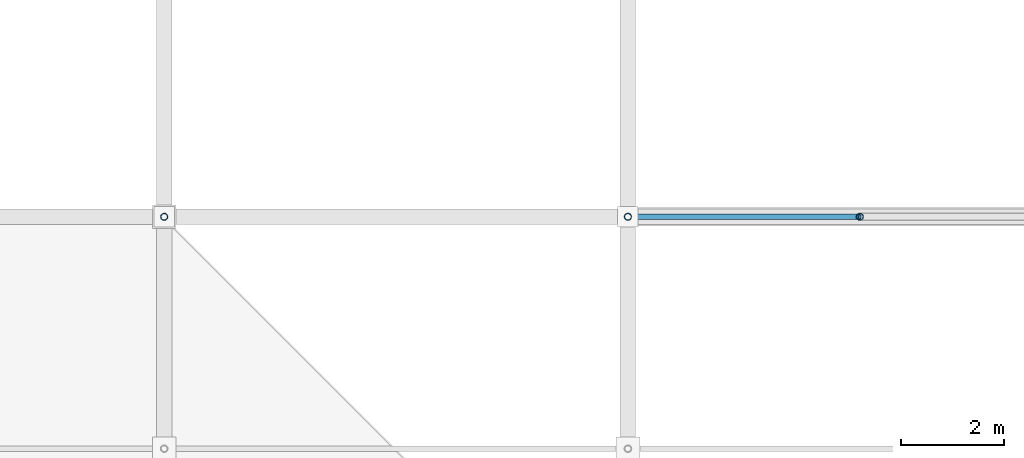
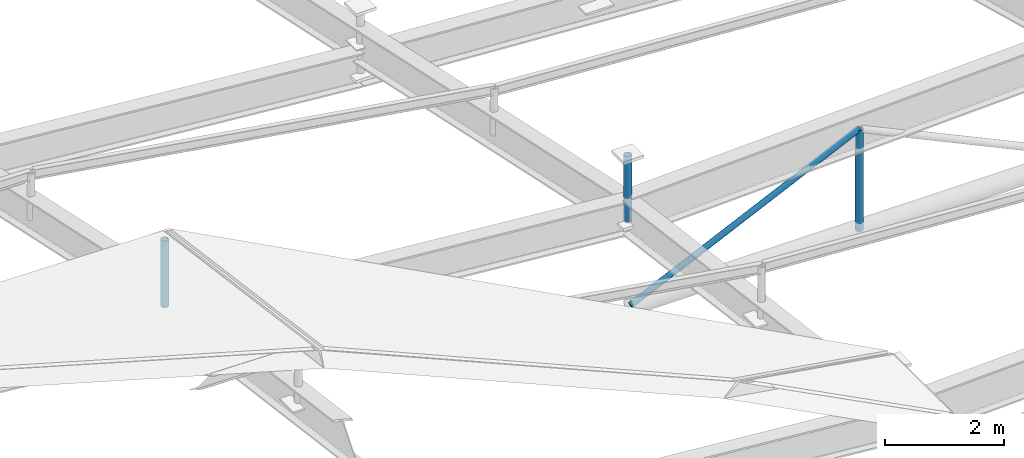
# One storey, part 30 of 80: 4 members.
"""IFC4 building model written with IfcOpenShell, lengths in metres."""

from ifc_helpers import new_model, si_unit, direction, frame, origin, origin_2d, place, context, subcontext, project, spatial, hollow_circle, extrude, material, material_profile, profile_set, type_object, element, save


model = new_model("IFC4")

# Units and contexts
model_context = context("Model", 3, precision=1e-05, world=origin(), true_north=direction((0.0, 1.0)))
body_context = subcontext(model_context, "Body", "Model", "MODEL_VIEW")
ifc_project = project(units=[si_unit("LENGTHUNIT", "METRE"), si_unit("AREAUNIT", "SQUARE_METRE"), si_unit("VOLUMEUNIT", "CUBIC_METRE"), si_unit("PLANEANGLEUNIT", "RADIAN"), si_unit("MASSUNIT", "GRAM", prefix="KILO")], contexts=[model_context])

# Site, building, storey
site_placement = place(None, origin())
site = spatial("IfcSite", under=ifc_project, at=site_placement, CompositionType="ELEMENT")
building_placement = place(site_placement, origin())
building = spatial("IfcBuilding", under=site, at=building_placement, Name="Barlavento Convention Centre", CompositionType="ELEMENT")
storey_placement = place(building_placement, frame((0.0, 0.0, 29.800048828125)))
storey = spatial("IfcBuildingStorey", under=building, at=storey_placement, Name="RF", CompositionType="ELEMENT", Elevation=29.800048828125)

# Members
ifc_material = material(Name="Steel S355", Category="steel")
ifc_material_profile_1 = material_profile(ifc_material, hollow_circle(Radius=0.05712890625, WallThickness=0.00634765625, at=origin_2d()), Name="CHS 114.3x6.3")
ifc_profile_set_1 = profile_set([ifc_material_profile_1], Name="Steel S355")
member_type_1 = type_object("IfcMemberType", Name="STR-MEM-DIAG-CHS114", PredefinedType="BRACE", material=ifc_profile_set_1)
member_1_placement = place(storey_placement, frame((18.050048828125, 36.0, -4.342041015625), z_axis=(0.906181869863, 0.0, 0.422888187033), x_axis=(0.0, 1.0, 0.0)))
element("IfcMember", 1, at=member_1_placement, inside=storey, type_object=member_type_1, Name="Plenary hall roof truss web member", PredefinedType="BRACE", context=body_context, shape_type="SweptSolid", body=[
    extrude(hollow_circle(Radius=0.05712890625, WallThickness=0.00634765625, at=origin_2d()), origin(), (0.0, 0.0, 1.0), 4.91064453125),
])
ifc_material_profile_2 = material_profile(ifc_material, hollow_circle(Radius=0.06982421875, WallThickness=0.008056640625, at=origin_2d()), Name="CHS 139.7x8.0")
ifc_profile_set_2 = profile_set([ifc_material_profile_2], Name="Steel S355")
member_type_2 = type_object("IfcMemberType", Name="STR-MEM-DIAG-CHS139", PredefinedType="BRACE", material=ifc_profile_set_2)
member_2_placement = place(storey_placement, frame((22.5, 36.0, -4.342041015625), z_axis=(0.0, 0.0, 1.0), x_axis=(1.0, 0.0, 0.0)))
element("IfcMember", 2, at=member_2_placement, inside=storey, type_object=member_type_2, Name="Plenary hall roof truss web member", PredefinedType="BRACE", context=body_context, shape_type="SweptSolid", body=[
    extrude(hollow_circle(Radius=0.06982421875, WallThickness=0.008056640625, at=origin_2d()), origin(), (0.0, 0.0, 1.0), 2.07666015625),
])
for number, where, z_axis, x_axis, name in (
    (3, (9.0, 36.0, -1.179443359375), (0.0, 0.0, 1.0), (1.0, 0.0, 0.0), "Congress space frame vertical node post TD04"),
    (4, (18.0, 36.0, -2.592041015625), (0.0, 0.0, 1.0), (1.0, 0.0, 0.0), "Congress space frame vertical node post TD04"),
):
    element("IfcMember", number, at=place(storey_placement, frame(where, z_axis=z_axis, x_axis=x_axis)), inside=storey, type_object=member_type_2, Name=name, PredefinedType="BRACE", context=body_context, shape_type="SweptSolid", body=[
        extrude(hollow_circle(Radius=0.06982421875, WallThickness=0.008056640625, at=origin_2d()), origin(), (0.0, 0.0, 1.0), 1.369873046875),
    ])

save(model, "model.ifc")
